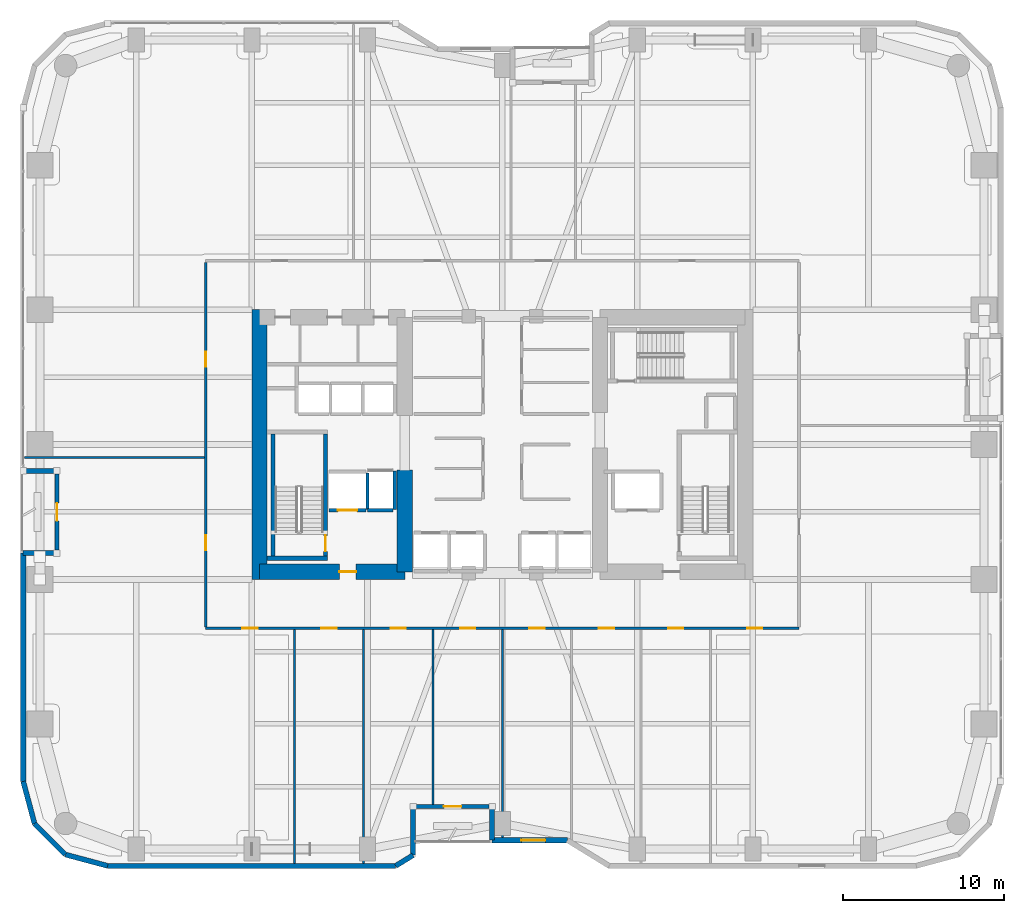
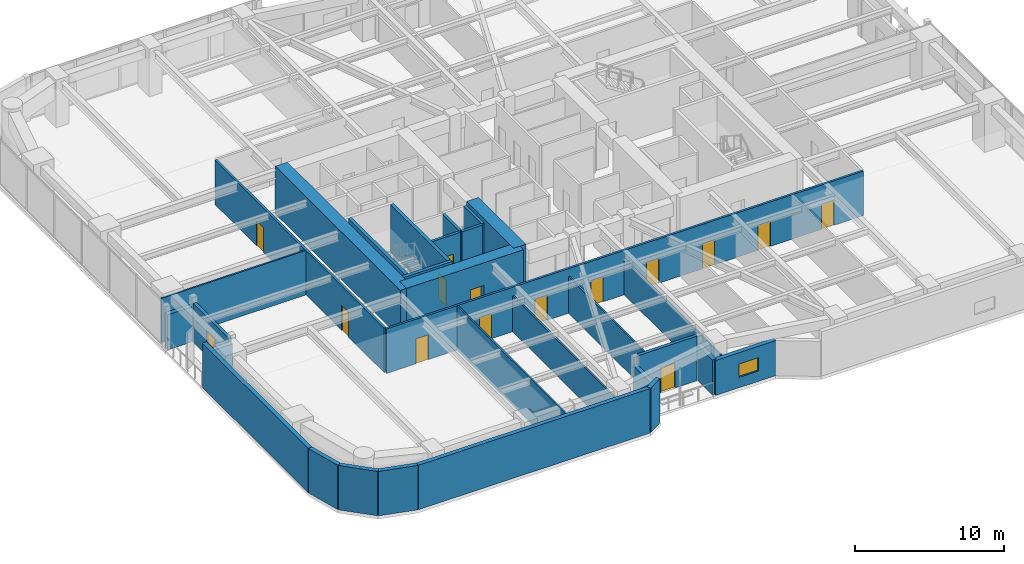
# One storey, part 22 of 28: 30 walls, 15 doors, 1 window, 16 openings.
"""IFC4 building model written with IfcOpenShell, lengths in metres."""

import ifcopenshell
import ifcopenshell.guid

model = None  # the IFC model being written
_history = None  # IfcOwnerHistory: only IFC2X3 demands one
_inside = {}  # id of a spatial element -> (the spatial element, [elements in it])
_under = {}  # id of a project, library or spatial element -> (it, [spatial elements below it])
_declared = {}  # id of a project -> (the project, [libraries it declares])
_typed = {}  # id of a type object -> (the type object, [elements of that type])
_made_of = {}  # id of a material, layer set ... -> (it, [elements and type objects made of it])


def new_model(schema):
    """Start an empty IFC model of exactly this schema.

    Asked for "IFC4X3", IfcOpenShell would pick the latest addendum, in which some entities
    have other attributes; the version numbers below select the first issue.
    IFC2X3 requires an IfcOwnerHistory on every rooted entity: one is made here for all.
    """
    global model, _history
    if schema == "IFC4X3":
        model = ifcopenshell.file(schema_version=(4, 3, 0, 0))
    else:
        model = ifcopenshell.file(schema=schema)
    _inside.clear()
    _under.clear()
    _declared.clear()
    _typed.clear()
    _made_of.clear()
    _history = None
    if model.schema == "IFC2X3":
        org = make("IfcOrganization", Name="unknown")
        user = make(
            "IfcPersonAndOrganization",
            ThePerson=make("IfcPerson", FamilyName="unknown"),
            TheOrganization=org,
        )
        app = make(
            "IfcApplication",
            ApplicationDeveloper=org,
            Version="unknown",
            ApplicationFullName="unknown",
            ApplicationIdentifier="unknown",
        )
        _history = make(
            "IfcOwnerHistory",
            OwningUser=user,
            OwningApplication=app,
            ChangeAction="ADDED",
            CreationDate=0,
        )
    return model


def make(cls, **values):
    """One entity of the class cls with the attributes given. An attribute that is None is left unset."""
    return model.create_entity(
        cls, **{name: value for name, value in values.items() if value is not None}
    )


def rooted(cls, **values):
    """An entity with a GlobalId (a new one), such as an element, a storey or a relation."""
    return make(cls, GlobalId=ifcopenshell.guid.new(), OwnerHistory=_history, **values)


def si_unit(unit_type, name, prefix=None):
    """IfcSIUnit, for example si_unit("LENGTHUNIT", "METRE", prefix="MILLI")."""
    return make("IfcSIUnit", UnitType=unit_type, Prefix=prefix, Name=name)


def assignment(units):
    """IfcUnitAssignment: the units of a project."""
    return None if units is None else make("IfcUnitAssignment", Units=units)


def point(xyz):
    """IfcCartesianPoint."""
    return None if xyz is None else make("IfcCartesianPoint", Coordinates=xyz)


def direction(xyz):
    """IfcDirection."""
    return None if xyz is None else make("IfcDirection", DirectionRatios=xyz)


def frame(location, z_axis=None, x_axis=None):
    """IfcAxis2Placement3D, a coordinate frame: its origin and axes. An axis left out is left unset."""
    return make(
        "IfcAxis2Placement3D",
        Location=point(location),
        Axis=direction(z_axis),
        RefDirection=direction(x_axis),
    )


def frame_2d(location, x_axis=None):
    """IfcAxis2Placement2D, a coordinate frame in the plane: its origin and x axis."""
    return make(
        "IfcAxis2Placement2D", Location=point(location), RefDirection=direction(x_axis)
    )


def origin():
    """The frame at (0, 0, 0) with its axes left unset."""
    return frame((0.0, 0.0, 0.0))


def place(relative_to, where):
    """IfcLocalPlacement: puts the frame where relative to a parent placement (None: the world)."""
    return make(
        "IfcLocalPlacement", PlacementRelTo=relative_to, RelativePlacement=where
    )


def context(
    kind, dimensions, precision=None, world=None, true_north=None, identifier=None
):
    """IfcGeometricRepresentationContext, for example the 3D "Model" context."""
    return make(
        "IfcGeometricRepresentationContext",
        ContextIdentifier=identifier,
        ContextType=kind,
        CoordinateSpaceDimension=dimensions,
        Precision=precision,
        WorldCoordinateSystem=world,
        TrueNorth=true_north,
    )


def subcontext(parent, identifier, kind, view, scale=None):
    """IfcGeometricRepresentationSubContext, for example "Body" below "Model"."""
    return make(
        "IfcGeometricRepresentationSubContext",
        ContextIdentifier=identifier,
        ContextType=kind,
        ParentContext=parent,
        TargetScale=scale,
        TargetView=view,
    )


def project(units=None, contexts=None):
    """IfcProject with its units and contexts."""
    return rooted(
        "IfcProject",
        Name="project",
        RepresentationContexts=contexts,
        UnitsInContext=assignment(units),
    )


def spatial(cls, under=None, at=None, **own):
    """A site, building, storey or space (cls), placed at a placement, below another one or the project."""
    s = rooted(cls, ObjectPlacement=at, **own)
    if under is not None:
        _under.setdefault(under.id(), (under, []))[1].append(s)
    return s


def profile(cls, at=None, kind="AREA", **sizes):
    """A parametric profile (cls). Its sizes go by their IFC names, for example OverallWidth=200.0."""
    return make(cls, ProfileType=kind, Position=at, **sizes)


def rectangle(**sizes):
    """IfcRectangleProfileDef."""
    return profile("IfcRectangleProfileDef", **sizes)


def extrude(swept, where, along, depth):
    """IfcExtrudedAreaSolid: the profile swept, set in the frame where, extruded along a direction by depth."""
    return make(
        "IfcExtrudedAreaSolid",
        SweptArea=swept,
        Position=where,
        ExtrudedDirection=direction(along),
        Depth=depth,
    )


def shape(context_of_items, identifier, shape_type, items):
    """IfcShapeRepresentation: the items that make up one representation, for example the "Body"."""
    return make(
        "IfcShapeRepresentation",
        ContextOfItems=context_of_items,
        RepresentationIdentifier=identifier,
        RepresentationType=shape_type,
        Items=items,
    )


def material(Name=None, Category=None):
    """IfcMaterial."""
    return make("IfcMaterial", Name=Name, Category=Category)


def layer(
    of_material, thickness, ventilated=None, Name=None, Category=None, Priority=None
):
    """IfcMaterialLayer: one layer of a wall or slab, of a material (None: an air gap)."""
    return make(
        "IfcMaterialLayer",
        Material=of_material,
        LayerThickness=thickness,
        IsVentilated=ventilated,
        Name=Name,
        Category=Category,
        Priority=Priority,
    )


def layer_set(layers, Name=None):
    """IfcMaterialLayerSet."""
    return make("IfcMaterialLayerSet", MaterialLayers=layers, LayerSetName=Name)


def made_of(thing, what):
    """Note that an element or type object is made of a material, layer set ...; save() writes the relation."""
    if what is not None:
        _made_of.setdefault(what.id(), (what, []))[1].append(thing)
    return thing


def type_object(cls, material=None, **own):
    """A type object (cls), such as IfcWallType, which elements share."""
    return made_of(rooted(cls, **own), material)


def element(
    cls,
    number,
    at=None,
    inside=None,
    cuts=None,
    type_object=None,
    material=None,
    context=None,
    identifier="Body",
    shape_type=None,
    held_by="IfcProductDefinitionShape",
    body=None,
    shapes=None,
    **own,
):
    """One element of the class cls, such as IfcWall. Its Tag is "e" and its number.

    at: its placement. inside: the storey or other place that contains it. cuts: it is an
    opening in that element (IfcRelVoidsElement). A single representation is given by context,
    identifier, shape_type and body (its items); several are given by shapes. held_by: the class
    of the entity that holds the representations. save() writes the other relations.
    """
    e = rooted(cls, Tag="e%d" % number, ObjectPlacement=at, **own)
    if body is not None:
        shapes = [shape(context, identifier, shape_type, body)]
    if shapes is not None:
        e.Representation = make(held_by, Representations=shapes)
    if inside is not None:
        _inside.setdefault(inside.id(), (inside, []))[1].append(e)
    if cuts is not None:
        rooted(
            "IfcRelVoidsElement", RelatingBuildingElement=cuts, RelatedOpeningElement=e
        )
    if type_object is not None:
        _typed.setdefault(type_object.id(), (type_object, []))[1].append(e)
    return made_of(e, material)


def fill(opening, filler):
    """IfcRelFillsElement: the door or window that sits in an opening."""
    return rooted(
        "IfcRelFillsElement",
        RelatingOpeningElement=opening,
        RelatedBuildingElement=filler,
    )


def aggregate(whole, parts):
    """IfcRelAggregates: a whole, such as a stair, and the parts it consists of."""
    return rooted("IfcRelAggregates", RelatingObject=whole, RelatedObjects=parts)


def save(model, path):
    """Write the relations noted so far, then the file.

    IfcRelAggregates (storeys below a building ...), IfcRelContainedInSpatialStructure (elements
    in a storey), IfcRelDefinesByType, IfcRelAssociatesMaterial and IfcRelDeclares: one each for
    every whole, place, type object, material and project.
    """
    for whole, parts in _under.values():
        aggregate(whole, parts)
    for where, things in _inside.values():
        rooted(
            "IfcRelContainedInSpatialStructure",
            RelatedElements=things,
            RelatingStructure=where,
        )
    for kind, things in _typed.values():
        rooted("IfcRelDefinesByType", RelatedObjects=things, RelatingType=kind)
    for what, things in _made_of.values():
        rooted("IfcRelAssociatesMaterial", RelatedObjects=things, RelatingMaterial=what)
    for by, libraries in _declared.values():
        rooted("IfcRelDeclares", RelatingContext=by, RelatedDefinitions=libraries)
    model.write(path)


model = new_model("IFC4")

# Units and contexts
model_context = context("Model", 3, precision=1e-05, world=origin(), true_north=direction((0.0, 1.0)))
body_context = subcontext(model_context, "Body", "Model", "MODEL_VIEW")
ifc_project = project(units=[si_unit("LENGTHUNIT", "METRE"), si_unit("AREAUNIT", "SQUARE_METRE"), si_unit("VOLUMEUNIT", "CUBIC_METRE"), si_unit("PLANEANGLEUNIT", "RADIAN"), si_unit("MASSUNIT", "GRAM", prefix="KILO")], contexts=[model_context])

# Site, building, storey
site_placement = place(None, origin())
site = spatial("IfcSite", under=ifc_project, at=site_placement, CompositionType="ELEMENT")
building_placement = place(site_placement, origin())
building = spatial("IfcBuilding", under=site, at=building_placement, Name="Kiyonajd Concourse Tower", CompositionType="ELEMENT")
storey_placement = place(building_placement, frame((0.0, 0.0, 60.60009765625)))
storey = spatial("IfcBuildingStorey", under=building, at=storey_placement, Name="L16", CompositionType="ELEMENT", Elevation=60.60009765625)

# Walls
ifc_material_1 = material(Name="Concrete C80/95", Category="concrete")
ifc_layer_1 = layer(ifc_material_1, 0.949951171875)
ifc_layer_set_1 = layer_set([ifc_layer_1], Name="Concrete C80/95")
wall_type_1 = type_object("IfcWallType", Name="WL-CORE-950", PredefinedType="SHEAR", material=ifc_layer_set_1)
wall_1_placement = place(storey_placement, frame((32.875, 27.60009765625, 0.0), z_axis=(0.0, 0.0, 1.0), x_axis=(0.0, 1.0, 0.0)))
element("IfcWall", 1, at=wall_1_placement, inside=storey, type_object=wall_type_1, Name="L16 West Core Outer Shear Wall", PredefinedType="SHEAR", context=body_context, shape_type="SweptSolid", body=[
    extrude(rectangle(XDim=16.7998046875, YDim=0.949951171875, at=frame_2d((8.39990234375, 0.0))), origin(), (0.0, 0.0, 1.0), 3.89990234375),
])
wall_2_placement = place(storey_placement, frame((41.925048828125, 28.074951171875, 0.0), z_axis=(0.0, 0.0, 1.0), x_axis=(0.0, 1.0, 0.0)))
element("IfcWall", 2, at=wall_2_placement, inside=storey, type_object=wall_type_1, Name="L16 West Core Inner South Shear Wall", PredefinedType="SHEAR", context=body_context, shape_type="SweptSolid", body=[
    extrude(rectangle(XDim=6.324951171875, YDim=0.949951171875, at=frame_2d((3.16259765625, 0.0))), origin(), (0.0, 0.0, 1.0), 3.89990234375),
])

# Wall, opening, door
wall_3_placement = place(storey_placement, frame((32.875, 28.074951171875, 0.0), z_axis=(0.0, 0.0, 1.0), x_axis=(1.0, 0.0, 0.0)))
wall_3 = element("IfcWall", 3, at=wall_3_placement, inside=storey, type_object=wall_type_1, Name="L16 West Core South Shear Wall", PredefinedType="SHEAR", context=body_context, shape_type="SweptSolid", body=[
    extrude(rectangle(XDim=9.050048828125, YDim=0.949951171875, at=frame_2d((4.52490234375, 0.0))), origin(), (0.0, 0.0, 1.0), 3.89990234375),
])
opening_1_placement = place(wall_3_placement, frame((4.97509765625, 0.0, 0.0)))
opening_1 = element("IfcOpeningElement", 4, at=opening_1_placement, cuts=wall_3, Name="Opening DF5", PredefinedType="OPENING", context=body_context, shape_type="SweptSolid", body=[
    extrude(rectangle(XDim=1.050048828125, YDim=2.0400390625, at=frame_2d((0.52490234375, 1.02001953125))), frame((0.0, 0.48486328125, 0.0), z_axis=(0.0, -1.0, 0.0), x_axis=(1.0, 0.0, 0.0)), (0.0, 0.0, 1.0), 0.969970703125),
])
ifc_material_2 = material(Name="Brushed Stainless Steel Cab Assembly", Category="steel")
door_type_1 = type_object("IfcDoorType", Name="DR-FD45-1050", OperationType="NOTDEFINED", PredefinedType="DOOR", material=ifc_material_2)
door_1_placement = place(opening_1_placement, origin())
door_1 = element("IfcDoor", 5, at=door_1_placement, inside=storey, type_object=door_type_1, Name="L16 Firefighting Lift Lobby W Smoke Door", OperationType="SINGLE_SWING_LEFT", OverallHeight=2.0400390625, OverallWidth=1.050048828125, PredefinedType="DOOR", context=body_context, shape_type="SweptSolid", body=[
    extrude(rectangle(XDim=1.050048828125, YDim=2.0400390625, at=frame_2d((0.52490234375, 1.02001953125))), frame((0.0, 0.02490234375, 0.0), z_axis=(0.0, -1.0, 0.0), x_axis=(1.0, 0.0, 0.0)), (0.0, 0.0, 1.0), 0.050048828125),
])
fill(opening_1, door_1)

# Walls
ifc_material_3 = material(Name="Precast concrete C50/60", Category="concrete")
ifc_layer_2 = layer(ifc_material_3, 0.320068359375)
ifc_layer_set_2 = layer_set([ifc_layer_2], Name="Precast concrete C50/60")
wall_type_2 = type_object("IfcWallType", Name="WL-EXT-320", PredefinedType="SOLIDWALL", material=ifc_layer_set_2)
wall_4_placement = place(storey_placement, frame((18.866455078125, 12.3828125, 0.0), z_axis=(0.0, 0.0, 1.0), x_axis=(-0.25869736047, 0.965958423373, 0.0)))
element("IfcWall", 6, at=wall_4_placement, inside=storey, type_object=wall_type_2, Name="L16 Exterior Concrete Frame Wall 00", PredefinedType="SOLIDWALL", context=body_context, shape_type="SweptSolid", body=[
    extrude(rectangle(XDim=2.731201171875, YDim=0.320068359375, at=frame_2d((1.36572265625, 0.0))), origin(), (0.0, 0.0, 1.0), 3.639892578125),
])
wall_5_placement = place(storey_placement, frame((18.159912109375, 15.02099609375, 0.0), z_axis=(0.0, 0.0, 1.0), x_axis=(0.0, 1.0, 0.0)))
element("IfcWall", 7, at=wall_5_placement, inside=storey, type_object=wall_type_2, Name="L16 Exterior Concrete Frame Wall 01", PredefinedType="SOLIDWALL", context=body_context, shape_type="SweptSolid", body=[
    extrude(rectangle(XDim=14.218994140625, YDim=0.320068359375, at=frame_2d((7.109375, 0.0))), origin(), (0.0, 0.0, 1.0), 3.639892578125),
])
for number, where, z_axis, x_axis, name in (
    (8, (18.159912109375, 29.239990234375, 0.0), (0.0, 0.0, 1.0), (1.0, 0.0, 0.0), "L16 Exterior Concrete Frame Wall 02"),
    (9, (20.260009765625, 34.360107421875, 0.0), (0.0, 0.0, 1.0), (-1.0, 0.0, 0.0), "L16 Exterior Concrete Frame Wall 04"),
):
    element("IfcWall", number, at=place(storey_placement, frame(where, z_axis=z_axis, x_axis=x_axis)), inside=storey, type_object=wall_type_2, Name=name, PredefinedType="SOLIDWALL", context=body_context, shape_type="SweptSolid", body=[
        extrude(rectangle(XDim=2.10009765625, YDim=0.320068359375, at=frame_2d((1.050048828125, 0.0))), origin(), (0.0, 0.0, 1.0), 2.875),
    ])

# Wall, opening, window
wall_6_placement = place(storey_placement, frame((52.04541015625, 11.360107421875, 0.0), z_axis=(0.0, 0.0, 1.0), x_axis=(-1.0, 0.0, 0.0)))
wall_6 = element("IfcWall", 10, at=wall_6_placement, inside=storey, type_object=wall_type_2, Name="L16 Exterior Concrete Frame Wall 30", PredefinedType="SOLIDWALL", context=body_context, shape_type="SweptSolid", body=[
    extrude(rectangle(XDim=4.685302734375, YDim=0.320068359375, at=frame_2d((2.3427734375, 0.0))), origin(), (0.0, 0.0, 1.0), 2.875),
])
opening_2_placement = place(wall_6_placement, frame((1.367919921875, 0.0, 0.85009765625)))
opening_2 = element("IfcOpeningElement", 11, at=opening_2_placement, cuts=wall_6, Name="Opening WN2", PredefinedType="OPENING", context=body_context, shape_type="SweptSolid", body=[
    extrude(rectangle(XDim=1.5, YDim=1.10009765625, at=frame_2d((0.75, 0.550048828125))), frame((0.0, 0.169921875, 0.0), z_axis=(0.0, -1.0, 0.0), x_axis=(1.0, 0.0, 0.0)), (0.0, 0.0, 1.0), 0.340087890625),
])
ifc_material_4 = material(Name="Double Low-E Insulated Glass", Category="glass")
window_type = type_object("IfcWindowType", Name="WN-VIS-1500x1100", PartitioningType="SINGLE_PANEL", PredefinedType="WINDOW", material=ifc_material_4)
window_placement = place(opening_2_placement, origin())
window = element("IfcWindow", 12, at=window_placement, inside=storey, type_object=window_type, Name="L16 Modular Facade Vision Window 30", OverallHeight=1.10009765625, OverallWidth=1.5, PartitioningType="SINGLE_PANEL", PredefinedType="WINDOW", context=body_context, shape_type="SweptSolid", body=[
    extrude(rectangle(XDim=1.5, YDim=1.10009765625, at=frame_2d((0.75, 0.550048828125))), frame((0.0, 0.030029296875, 0.0), z_axis=(0.0, -1.0, 0.0), x_axis=(1.0, 0.0, 0.0)), (0.0, 0.0, 1.0), 0.06005859375),
])
fill(opening_2, window)

# Walls
wall_7_placement = place(storey_placement, frame((47.360107421875, 11.360107421875, 0.0), z_axis=(0.0, 0.0, 1.0), x_axis=(0.0, 1.0, 0.0)))
element("IfcWall", 13, at=wall_7_placement, inside=storey, type_object=wall_type_2, Name="L16 Exterior Concrete Frame Wall 31", PredefinedType="SOLIDWALL", context=body_context, shape_type="SweptSolid", body=[
    extrude(rectangle(XDim=2.099853515625, YDim=0.320068359375, at=frame_2d((1.0498046875, 0.0))), origin(), (0.0, 0.0, 1.0), 2.875),
])
wall_8_placement = place(storey_placement, frame((42.43994140625, 13.4599609375, 0.0), z_axis=(0.0, 0.0, 1.0), x_axis=(0.0, -1.0, 0.0)))
element("IfcWall", 14, at=wall_8_placement, inside=storey, type_object=wall_type_2, Name="L16 Exterior Concrete Frame Wall 33", PredefinedType="SOLIDWALL", context=body_context, shape_type="SweptSolid", body=[
    extrude(rectangle(XDim=3.032470703125, YDim=0.320068359375, at=frame_2d((1.51611328125, 0.0))), origin(), (0.0, 0.0, 1.0), 2.875),
])
wall_9_placement = place(storey_placement, frame((42.43994140625, 10.427490234375, 0.0), z_axis=(0.0, 0.0, 1.0), x_axis=(-0.851776724646, -0.523904964045, 0.0)))
element("IfcWall", 15, at=wall_9_placement, inside=storey, type_object=wall_type_2, Name="L16 Exterior Concrete Frame Wall 34", PredefinedType="SOLIDWALL", context=body_context, shape_type="SweptSolid", body=[
    extrude(rectangle(XDim=1.274169921875, YDim=0.320068359375, at=frame_2d((0.63720703125, 0.0))), origin(), (0.0, 0.0, 1.0), 3.639892578125),
])
wall_10_placement = place(storey_placement, frame((41.354736328125, 9.760009765625, 0.0), z_axis=(0.0, 0.0, 1.0), x_axis=(-1.0, 0.0, 0.0)))
element("IfcWall", 16, at=wall_10_placement, inside=storey, type_object=wall_type_2, Name="L16 Exterior Concrete Frame Wall 35", PredefinedType="SOLIDWALL", context=body_context, shape_type="SweptSolid", body=[
    extrude(rectangle(XDim=17.93359375, YDim=0.320068359375, at=frame_2d((8.966796875, 0.0))), origin(), (0.0, 0.0, 1.0), 3.639892578125),
])
wall_11_placement = place(storey_placement, frame((23.421142578125, 9.760009765625, 0.0), z_axis=(0.0, 0.0, 1.0), x_axis=(-0.965964405026, 0.25867502435, 0.0)))
element("IfcWall", 17, at=wall_11_placement, inside=storey, type_object=wall_type_2, Name="L16 Exterior Concrete Frame Wall 36", PredefinedType="SOLIDWALL", context=body_context, shape_type="SweptSolid", body=[
    extrude(rectangle(XDim=2.7314453125, YDim=0.320068359375, at=frame_2d((1.36572265625, 0.0))), origin(), (0.0, 0.0, 1.0), 3.639892578125),
])
wall_12_placement = place(storey_placement, frame((20.78271484375, 10.466552734375, 0.0), z_axis=(0.0, 0.0, 1.0), x_axis=(-0.707106781187, 0.707106781187, 0.0)))
element("IfcWall", 18, at=wall_12_placement, inside=storey, type_object=wall_type_2, Name="L16 Exterior Concrete Frame Wall 37", PredefinedType="SOLIDWALL", context=body_context, shape_type="SweptSolid", body=[
    extrude(rectangle(XDim=2.7099609375, YDim=0.320068359375, at=frame_2d((1.35498046875, 0.0))), origin(), (0.0, 0.0, 1.0), 3.639892578125),
])

# Wall, opening, door
ifc_layer_3 = layer(ifc_material_3, 0.239990234375)
ifc_layer_set_3 = layer_set([ifc_layer_3], Name="Precast concrete C50/60")
wall_type_3 = type_object("IfcWallType", Name="WL-LOG-240", PredefinedType="SOLIDWALL", material=ifc_layer_set_3)
wall_13_placement = place(storey_placement, frame((20.260009765625, 29.43505859375, 0.0), z_axis=(0.0, 0.0, 1.0), x_axis=(0.0, 1.0, 0.0)))
wall_13 = element("IfcWall", 19, at=wall_13_placement, inside=storey, type_object=wall_type_3, Name="L16 Recessed Loggia Thermal Wall LOG-W", PredefinedType="SOLIDWALL", context=body_context, shape_type="SweptSolid", body=[
    extrude(rectangle(XDim=4.72998046875, YDim=0.239990234375, at=frame_2d((2.364990234375, 0.0))), origin(), (0.0, 0.0, 1.0), 3.161865234375),
])
opening_3_placement = place(wall_13_placement, frame((1.81494140625, 0.0, 0.0)))
opening_3 = element("IfcOpeningElement", 20, at=opening_3_placement, cuts=wall_13, Name="Opening DL2", PredefinedType="OPENING", context=body_context, shape_type="SweptSolid", body=[
    extrude(rectangle(XDim=1.10009765625, YDim=2.0400390625, at=frame_2d((0.550048828125, 1.02001953125))), frame((0.0, 0.1298828125, 0.0), z_axis=(0.0, -1.0, 0.0), x_axis=(1.0, 0.0, 0.0)), (0.0, 0.0, 1.0), 0.260009765625),
])
ifc_material_5 = material(Name="Thermally Broken Anodised Aluminium", Category="aluminium")
door_type_2 = type_object("IfcDoorType", Name="DR-LOG-1100", OperationType="NOTDEFINED", PredefinedType="DOOR", material=ifc_material_5)
door_2_placement = place(opening_3_placement, origin())
door_2 = element("IfcDoor", 21, at=door_2_placement, inside=storey, type_object=door_type_2, Name="L16 Engawa Loggia Access Door LOG-W", OperationType="SINGLE_SWING_LEFT", OverallHeight=2.0400390625, OverallWidth=1.10009765625, PredefinedType="DOOR", context=body_context, shape_type="SweptSolid", body=[
    extrude(rectangle(XDim=1.10009765625, YDim=2.0400390625, at=frame_2d((0.550048828125, 1.02001953125))), frame((0.0, 0.02490234375, 0.0), z_axis=(0.0, -1.0, 0.0), x_axis=(1.0, 0.0, 0.0)), (0.0, 0.0, 1.0), 0.050048828125),
])
fill(opening_3, door_2)

wall_14_placement = place(storey_placement, frame((47.1650390625, 13.4599609375, 0.0), z_axis=(0.0, 0.0, 1.0), x_axis=(-1.0, 0.0, 0.0)))
wall_14 = element("IfcWall", 22, at=wall_14_placement, inside=storey, type_object=wall_type_3, Name="L16 Recessed Loggia Thermal Wall LOG-S", PredefinedType="SOLIDWALL", context=body_context, shape_type="SweptSolid", body=[
    extrude(rectangle(XDim=4.530029296875, YDim=0.239990234375, at=frame_2d((2.26513671875, 0.0))), origin(), (0.0, 0.0, 1.0), 3.639892578125),
])
opening_4_placement = place(wall_14_placement, frame((1.715087890625, 0.0, 0.0)))
opening_4 = element("IfcOpeningElement", 23, at=opening_4_placement, cuts=wall_14, Name="Opening DL2", PredefinedType="OPENING", context=body_context, shape_type="SweptSolid", body=[
    extrude(rectangle(XDim=1.10009765625, YDim=2.0400390625, at=frame_2d((0.550048828125, 1.02001953125))), frame((0.0, 0.1298828125, 0.0), z_axis=(0.0, -1.0, 0.0), x_axis=(1.0, 0.0, 0.0)), (0.0, 0.0, 1.0), 0.260009765625),
])
door_3_placement = place(opening_4_placement, origin())
door_3 = element("IfcDoor", 24, at=door_3_placement, inside=storey, type_object=door_type_2, Name="L16 Engawa Loggia Access Door LOG-S", OperationType="SINGLE_SWING_RIGHT", OverallHeight=2.0400390625, OverallWidth=1.10009765625, PredefinedType="DOOR", context=body_context, shape_type="SweptSolid", body=[
    extrude(rectangle(XDim=1.10009765625, YDim=2.0400390625, at=frame_2d((0.550048828125, 1.02001953125))), frame((0.0, 0.02490234375, 0.0), z_axis=(0.0, -1.0, 0.0), x_axis=(1.0, 0.0, 0.0)), (0.0, 0.0, 1.0), 0.050048828125),
])
fill(opening_4, door_3)

# Walls
ifc_material_6 = material(Name="Gypsum Board on Cold-Formed Steel Stud", Category="steel")
ifc_layer_4 = layer(ifc_material_6, 0.125)
ifc_layer_set_4 = layer_set([ifc_layer_4], Name="Gypsum Board on Cold-Formed Steel Stud")
wall_type_4 = type_object("IfcWallType", Name="WL-PART-125", PredefinedType="PARTITIONING", material=ifc_layer_set_4)
wall_15_placement = place(storey_placement, frame((35.0400390625, 9.9150390625, 0.0), z_axis=(0.0, 0.0, 1.0), x_axis=(0.0, 1.0, 0.0)))
element("IfcWall", 25, at=wall_15_placement, inside=storey, type_object=wall_type_4, Name="L16 Interior Partition Wall", PredefinedType="PARTITIONING", context=body_context, shape_type="SweptSolid", body=[
    extrude(rectangle(XDim=14.557861328125, YDim=0.125, at=frame_2d((7.27880859375, 0.0))), origin(), (0.0, 0.0, 1.0), 3.639892578125),
])
wall_16_placement = place(storey_placement, frame((39.360107421875, 9.9150390625, 0.0), z_axis=(0.0, 0.0, 1.0), x_axis=(0.0, 1.0, 0.0)))
element("IfcWall", 26, at=wall_16_placement, inside=storey, type_object=wall_type_4, Name="L16 Interior Partition Wall", PredefinedType="PARTITIONING", context=body_context, shape_type="SweptSolid", body=[
    extrude(rectangle(XDim=14.557861328125, YDim=0.125, at=frame_2d((7.27880859375, 0.0))), origin(), (0.0, 0.0, 1.0), 2.929931640625),
])
wall_17_placement = place(storey_placement, frame((43.679931640625, 13.574951171875, 0.0), z_axis=(0.0, 0.0, 1.0), x_axis=(0.0, 1.0, 0.0)))
element("IfcWall", 27, at=wall_17_placement, inside=storey, type_object=wall_type_4, Name="L16 Interior Partition Wall", PredefinedType="PARTITIONING", context=body_context, shape_type="SweptSolid", body=[
    extrude(rectangle(XDim=10.89794921875, YDim=0.125, at=frame_2d((5.448974609375, 0.0))), origin(), (0.0, 0.0, 1.0), 3.0029296875),
])
wall_18_placement = place(storey_placement, frame((48.0, 11.514892578125, 0.0), z_axis=(0.0, 0.0, 1.0), x_axis=(0.0, 1.0, 0.0)))
element("IfcWall", 28, at=wall_18_placement, inside=storey, type_object=wall_type_4, Name="L16 Interior Partition Wall", PredefinedType="PARTITIONING", context=body_context, shape_type="SweptSolid", body=[
    extrude(rectangle(XDim=12.9580078125, YDim=0.125, at=frame_2d((6.47900390625, 0.0))), origin(), (0.0, 0.0, 1.0), 2.929931640625),
])
wall_19_placement = place(storey_placement, frame((18.2451171875, 35.199951171875, 0.0), z_axis=(0.0, 0.0, 1.0), x_axis=(1.0, 0.0, 0.0)))
element("IfcWall", 29, at=wall_19_placement, inside=storey, type_object=wall_type_4, Name="L16 Interior Partition Wall", PredefinedType="PARTITIONING", context=body_context, shape_type="SweptSolid", body=[
    extrude(rectangle(XDim=11.19287109375, YDim=0.125, at=frame_2d((5.596435546875, 0.0))), origin(), (0.0, 0.0, 1.0), 3.639892578125),
])

# Wall, opening, door
ifc_layer_5 = layer(ifc_material_6, 0.2099609375)
ifc_layer_set_5 = layer_set([ifc_layer_5], Name="Gypsum Board on Cold-Formed Steel Stud")
wall_type_5 = type_object("IfcWallType", Name="WL-SHAFT-210", PredefinedType="PARTITIONING", material=ifc_layer_set_5)
wall_20_placement = place(storey_placement, frame((37.199951171875, 31.89990234375, 0.0), z_axis=(0.0, 0.0, 1.0), x_axis=(1.0, 0.0, 0.0)))
wall_20 = element("IfcWall", 30, at=wall_20_placement, inside=storey, type_object=wall_type_5, Name="L16 Shaft Enclosure Wall", PredefinedType="PARTITIONING", context=body_context, shape_type="SweptSolid", body=[
    extrude(rectangle(XDim=2.300048828125, YDim=0.2099609375, at=frame_2d((1.14990234375, 0.0))), origin(), (0.0, 0.0, 1.0), 3.639892578125),
])
opening_5_placement = place(wall_20_placement, frame((0.550048828125, 0.0, 0.0)))
opening_5 = element("IfcOpeningElement", 31, at=opening_5_placement, cuts=wall_20, Name="Opening LD2", PredefinedType="OPENING", context=body_context, shape_type="SweptSolid", body=[
    extrude(rectangle(XDim=1.199951171875, YDim=2.0400390625, at=frame_2d((0.60009765625, 1.02001953125))), frame((0.0, 0.114990234375, 0.0), z_axis=(0.0, -1.0, 0.0), x_axis=(1.0, 0.0, 0.0)), (0.0, 0.0, 1.0), 0.22998046875),
])
door_type_3 = type_object("IfcDoorType", Name="DR-LD-1200", OperationType="DOUBLE_DOOR_SLIDING", PredefinedType="DOOR", material=ifc_material_2)
door_4_placement = place(opening_5_placement, origin())
door_4 = element("IfcDoor", 32, at=door_4_placement, inside=storey, type_object=door_type_3, Name="L16 Lift FFL1 Sliding Landing Door", OperationType="DOUBLE_DOOR_SLIDING", OverallHeight=2.0400390625, OverallWidth=1.199951171875, PredefinedType="DOOR", context=body_context, shape_type="SweptSolid", body=[
    extrude(rectangle(XDim=1.199951171875, YDim=2.0400390625, at=frame_2d((0.60009765625, 1.02001953125))), frame((0.0, 0.02490234375, 0.0), z_axis=(0.0, -1.0, 0.0), x_axis=(1.0, 0.0, 0.0)), (0.0, 0.0, 1.0), 0.050048828125),
])
fill(opening_5, door_4)

# Walls
wall_21_placement = place(storey_placement, frame((39.60009765625, 31.9599609375, 0.0), z_axis=(0.0, 0.0, 1.0), x_axis=(0.0, 1.0, 0.0)))
element("IfcWall", 33, at=wall_21_placement, inside=storey, type_object=wall_type_5, Name="L16 Shaft Enclosure Wall", PredefinedType="PARTITIONING", context=body_context, shape_type="SweptSolid", body=[
    extrude(rectangle(XDim=2.280029296875, YDim=0.2099609375, at=frame_2d((1.14013671875, 0.0))), origin(), (0.0, 0.0, 1.0), 3.639892578125),
])
wall_22_placement = place(storey_placement, frame((39.60009765625, 31.89990234375, 0.0), z_axis=(0.0, 0.0, 1.0), x_axis=(1.0, 0.0, 0.0)))
element("IfcWall", 34, at=wall_22_placement, inside=storey, type_object=wall_type_5, Name="L16 Shaft Enclosure Wall", PredefinedType="PARTITIONING", context=body_context, shape_type="SweptSolid", body=[
    extrude(rectangle(XDim=1.599853515625, YDim=0.2099609375, at=frame_2d((0.7998046875, 0.0))), origin(), (0.0, 0.0, 1.0), 3.639892578125),
])
wall_23_placement = place(storey_placement, frame((41.300048828125, 31.9599609375, 0.0), z_axis=(0.0, 0.0, 1.0), x_axis=(0.0, 1.0, 0.0)))
element("IfcWall", 35, at=wall_23_placement, inside=storey, type_object=wall_type_5, Name="L16 Shaft Enclosure Wall", PredefinedType="PARTITIONING", context=body_context, shape_type="SweptSolid", body=[
    extrude(rectangle(XDim=2.380126953125, YDim=0.2099609375, at=frame_2d((1.18994140625, 0.0))), origin(), (0.0, 0.0, 1.0), 3.639892578125),
])

# Wall, openings, doors
ifc_layer_6 = layer(ifc_material_6, 0.169921875)
ifc_layer_set_6 = layer_set([ifc_layer_6], Name="Gypsum Board on Cold-Formed Steel Stud")
wall_type_6 = type_object("IfcWallType", Name="WL-SMK-170", PredefinedType="PARTITIONING", material=ifc_layer_set_6)
wall_24_placement = place(storey_placement, frame((29.52490234375, 24.56005859375, 0.0), z_axis=(0.0, 0.0, 1.0), x_axis=(1.0, 0.0, 0.0)))
wall_24 = element("IfcWall", 36, at=wall_24_placement, inside=storey, type_object=wall_type_6, Name="L16 Interior Partition Wall", PredefinedType="PARTITIONING", context=body_context, shape_type="SweptSolid", body=[
    extrude(rectangle(XDim=36.9501953125, YDim=0.169921875, at=frame_2d((18.47509765625, 0.0))), origin(), (0.0, 0.0, 1.0), 3.639892578125),
])
opening_6_placement = place(wall_24_placement, frame((2.282958984375, 0.0, 0.0)))
opening_6 = element("IfcOpeningElement", 37, at=opening_6_placement, cuts=wall_24, Name="Opening DI1", PredefinedType="OPENING", context=body_context, shape_type="SweptSolid", body=[
    extrude(rectangle(XDim=0.949951171875, YDim=2.0400390625, at=frame_2d((0.47509765625, 1.02001953125))), frame((0.0, 0.094970703125, 0.0), z_axis=(0.0, -1.0, 0.0), x_axis=(1.0, 0.0, 0.0)), (0.0, 0.0, 1.0), 0.18994140625),
])
opening_7_placement = place(wall_24_placement, frame((7.199951171875, 0.0, 0.0)))
opening_7 = element("IfcOpeningElement", 38, at=opening_7_placement, cuts=wall_24, Name="Opening DI1", PredefinedType="OPENING", context=body_context, shape_type="SweptSolid", body=[
    extrude(rectangle(XDim=0.949951171875, YDim=2.0400390625, at=frame_2d((0.47509765625, 1.02001953125))), frame((0.0, 0.094970703125, 0.0), z_axis=(0.0, -1.0, 0.0), x_axis=(1.0, 0.0, 0.0)), (0.0, 0.0, 1.0), 0.18994140625),
])
opening_8_placement = place(wall_24_placement, frame((11.52001953125, 0.0, 0.0)))
opening_8 = element("IfcOpeningElement", 39, at=opening_8_placement, cuts=wall_24, Name="Opening DI1", PredefinedType="OPENING", context=body_context, shape_type="SweptSolid", body=[
    extrude(rectangle(XDim=0.949951171875, YDim=2.0400390625, at=frame_2d((0.47509765625, 1.02001953125))), frame((0.0, 0.094970703125, 0.0), z_axis=(0.0, -1.0, 0.0), x_axis=(1.0, 0.0, 0.0)), (0.0, 0.0, 1.0), 0.18994140625),
])
opening_9_placement = place(wall_24_placement, frame((15.840087890625, 0.0, 0.0)))
opening_9 = element("IfcOpeningElement", 40, at=opening_9_placement, cuts=wall_24, Name="Opening DI1", PredefinedType="OPENING", context=body_context, shape_type="SweptSolid", body=[
    extrude(rectangle(XDim=0.949951171875, YDim=2.0400390625, at=frame_2d((0.47509765625, 1.02001953125))), frame((0.0, 0.094970703125, 0.0), z_axis=(0.0, -1.0, 0.0), x_axis=(1.0, 0.0, 0.0)), (0.0, 0.0, 1.0), 0.18994140625),
])
opening_10_placement = place(wall_24_placement, frame((20.159912109375, 0.0, 0.0)))
opening_10 = element("IfcOpeningElement", 41, at=opening_10_placement, cuts=wall_24, Name="Opening DI1", PredefinedType="OPENING", context=body_context, shape_type="SweptSolid", body=[
    extrude(rectangle(XDim=0.949951171875, YDim=2.0400390625, at=frame_2d((0.47509765625, 1.02001953125))), frame((0.0, 0.094970703125, 0.0), z_axis=(0.0, -1.0, 0.0), x_axis=(1.0, 0.0, 0.0)), (0.0, 0.0, 1.0), 0.18994140625),
])
opening_11_placement = place(wall_24_placement, frame((24.47998046875, 0.0, 0.0)))
opening_11 = element("IfcOpeningElement", 42, at=opening_11_placement, cuts=wall_24, Name="Opening DI1", PredefinedType="OPENING", context=body_context, shape_type="SweptSolid", body=[
    extrude(rectangle(XDim=0.949951171875, YDim=2.0400390625, at=frame_2d((0.47509765625, 1.02001953125))), frame((0.0, 0.094970703125, 0.0), z_axis=(0.0, -1.0, 0.0), x_axis=(1.0, 0.0, 0.0)), (0.0, 0.0, 1.0), 0.18994140625),
])
opening_12_placement = place(wall_24_placement, frame((28.800048828125, 0.0, 0.0)))
opening_12 = element("IfcOpeningElement", 43, at=opening_12_placement, cuts=wall_24, Name="Opening DI1", PredefinedType="OPENING", context=body_context, shape_type="SweptSolid", body=[
    extrude(rectangle(XDim=0.949951171875, YDim=2.0400390625, at=frame_2d((0.47509765625, 1.02001953125))), frame((0.0, 0.094970703125, 0.0), z_axis=(0.0, -1.0, 0.0), x_axis=(1.0, 0.0, 0.0)), (0.0, 0.0, 1.0), 0.18994140625),
])
opening_13_placement = place(wall_24_placement, frame((33.718017578125, 0.0, 0.0)))
opening_13 = element("IfcOpeningElement", 44, at=opening_13_placement, cuts=wall_24, Name="Opening DI1", PredefinedType="OPENING", context=body_context, shape_type="SweptSolid", body=[
    extrude(rectangle(XDim=0.949951171875, YDim=2.0400390625, at=frame_2d((0.47509765625, 1.02001953125))), frame((0.0, 0.094970703125, 0.0), z_axis=(0.0, -1.0, 0.0), x_axis=(1.0, 0.0, 0.0)), (0.0, 0.0, 1.0), 0.18994140625),
])
ifc_material_7 = material(Name="Natural Oak Acoustic Timber Veneer", Category="wood")
door_type_4 = type_object("IfcDoorType", Name="DR-INT-950", OperationType="NOTDEFINED", PredefinedType="DOOR", material=ifc_material_7)
door_5_placement = place(opening_6_placement, origin())
door_5 = element("IfcDoor", 45, at=door_5_placement, inside=storey, type_object=door_type_4, Name="L16 Interior Door", OperationType="SINGLE_SWING_LEFT", OverallHeight=2.0400390625, OverallWidth=0.949951171875, PredefinedType="DOOR", context=body_context, shape_type="SweptSolid", body=[
    extrude(rectangle(XDim=0.949951171875, YDim=2.0400390625, at=frame_2d((0.47509765625, 1.02001953125))), frame((0.0, 0.02490234375, 0.0), z_axis=(0.0, -1.0, 0.0), x_axis=(1.0, 0.0, 0.0)), (0.0, 0.0, 1.0), 0.050048828125),
])
fill(opening_6, door_5)
door_6_placement = place(opening_7_placement, origin())
door_6 = element("IfcDoor", 46, at=door_6_placement, inside=storey, type_object=door_type_4, Name="L16 Interior Door", OperationType="SINGLE_SWING_RIGHT", OverallHeight=2.0400390625, OverallWidth=0.949951171875, PredefinedType="DOOR", context=body_context, shape_type="SweptSolid", body=[
    extrude(rectangle(XDim=0.949951171875, YDim=2.0400390625, at=frame_2d((0.47509765625, 1.02001953125))), frame((0.0, 0.02490234375, 0.0), z_axis=(0.0, -1.0, 0.0), x_axis=(1.0, 0.0, 0.0)), (0.0, 0.0, 1.0), 0.050048828125),
])
fill(opening_7, door_6)
door_7_placement = place(opening_8_placement, origin())
door_7 = element("IfcDoor", 47, at=door_7_placement, inside=storey, type_object=door_type_4, Name="L16 Interior Door", OperationType="SINGLE_SWING_LEFT", OverallHeight=2.0400390625, OverallWidth=0.949951171875, PredefinedType="DOOR", context=body_context, shape_type="SweptSolid", body=[
    extrude(rectangle(XDim=0.949951171875, YDim=2.0400390625, at=frame_2d((0.47509765625, 1.02001953125))), frame((0.0, 0.02490234375, 0.0), z_axis=(0.0, -1.0, 0.0), x_axis=(1.0, 0.0, 0.0)), (0.0, 0.0, 1.0), 0.050048828125),
])
fill(opening_8, door_7)
door_8_placement = place(opening_9_placement, origin())
door_8 = element("IfcDoor", 48, at=door_8_placement, inside=storey, type_object=door_type_4, Name="L16 Interior Door", OperationType="SINGLE_SWING_RIGHT", OverallHeight=2.0400390625, OverallWidth=0.949951171875, PredefinedType="DOOR", context=body_context, shape_type="SweptSolid", body=[
    extrude(rectangle(XDim=0.949951171875, YDim=2.0400390625, at=frame_2d((0.47509765625, 1.02001953125))), frame((0.0, 0.02490234375, 0.0), z_axis=(0.0, -1.0, 0.0), x_axis=(1.0, 0.0, 0.0)), (0.0, 0.0, 1.0), 0.050048828125),
])
fill(opening_9, door_8)
door_9_placement = place(opening_10_placement, origin())
door_9 = element("IfcDoor", 49, at=door_9_placement, inside=storey, type_object=door_type_4, Name="L16 Interior Door", OperationType="SINGLE_SWING_LEFT", OverallHeight=2.0400390625, OverallWidth=0.949951171875, PredefinedType="DOOR", context=body_context, shape_type="SweptSolid", body=[
    extrude(rectangle(XDim=0.949951171875, YDim=2.0400390625, at=frame_2d((0.47509765625, 1.02001953125))), frame((0.0, 0.02490234375, 0.0), z_axis=(0.0, -1.0, 0.0), x_axis=(1.0, 0.0, 0.0)), (0.0, 0.0, 1.0), 0.050048828125),
])
fill(opening_10, door_9)
door_10_placement = place(opening_11_placement, origin())
door_10 = element("IfcDoor", 50, at=door_10_placement, inside=storey, type_object=door_type_4, Name="L16 Interior Door", OperationType="SINGLE_SWING_RIGHT", OverallHeight=2.0400390625, OverallWidth=0.949951171875, PredefinedType="DOOR", context=body_context, shape_type="SweptSolid", body=[
    extrude(rectangle(XDim=0.949951171875, YDim=2.0400390625, at=frame_2d((0.47509765625, 1.02001953125))), frame((0.0, 0.02490234375, 0.0), z_axis=(0.0, -1.0, 0.0), x_axis=(1.0, 0.0, 0.0)), (0.0, 0.0, 1.0), 0.050048828125),
])
fill(opening_11, door_10)
door_11_placement = place(opening_12_placement, origin())
door_11 = element("IfcDoor", 51, at=door_11_placement, inside=storey, type_object=door_type_4, Name="L16 Interior Door", OperationType="SINGLE_SWING_LEFT", OverallHeight=2.0400390625, OverallWidth=0.949951171875, PredefinedType="DOOR", context=body_context, shape_type="SweptSolid", body=[
    extrude(rectangle(XDim=0.949951171875, YDim=2.0400390625, at=frame_2d((0.47509765625, 1.02001953125))), frame((0.0, 0.02490234375, 0.0), z_axis=(0.0, -1.0, 0.0), x_axis=(1.0, 0.0, 0.0)), (0.0, 0.0, 1.0), 0.050048828125),
])
fill(opening_12, door_11)
door_12_placement = place(opening_13_placement, origin())
door_12 = element("IfcDoor", 52, at=door_12_placement, inside=storey, type_object=door_type_4, Name="L16 Interior Door", OperationType="SINGLE_SWING_RIGHT", OverallHeight=2.0400390625, OverallWidth=0.949951171875, PredefinedType="DOOR", context=body_context, shape_type="SweptSolid", body=[
    extrude(rectangle(XDim=0.949951171875, YDim=2.0400390625, at=frame_2d((0.47509765625, 1.02001953125))), frame((0.0, 0.02490234375, 0.0), z_axis=(0.0, -1.0, 0.0), x_axis=(1.0, 0.0, 0.0)), (0.0, 0.0, 1.0), 0.050048828125),
])
fill(opening_13, door_12)

wall_25_placement = place(storey_placement, frame((29.52490234375, 24.64697265625, 0.0), z_axis=(0.0, 0.0, 1.0), x_axis=(0.0, 1.0, 0.0)))
wall_25 = element("IfcWall", 53, at=wall_25_placement, inside=storey, type_object=wall_type_6, Name="L16 Interior Partition Wall", PredefinedType="PARTITIONING", context=body_context, shape_type="SweptSolid", body=[
    extrude(rectangle(XDim=22.7060546875, YDim=0.169921875, at=frame_2d((11.35302734375, 0.0))), origin(), (0.0, 0.0, 1.0), 3.639892578125),
])
opening_14_placement = place(wall_25_placement, frame((4.758056640625, 0.0, 0.0)))
opening_14 = element("IfcOpeningElement", 54, at=opening_14_placement, cuts=wall_25, Name="Opening DI1", PredefinedType="OPENING", context=body_context, shape_type="SweptSolid", body=[
    extrude(rectangle(XDim=0.949951171875, YDim=2.0400390625, at=frame_2d((0.47509765625, 1.02001953125))), frame((0.0, 0.094970703125, 0.0), z_axis=(0.0, -1.0, 0.0), x_axis=(1.0, 0.0, 0.0)), (0.0, 0.0, 1.0), 0.18994140625),
])
opening_15_placement = place(wall_25_placement, frame((16.197998046875, 0.0, 0.0)))
opening_15 = element("IfcOpeningElement", 55, at=opening_15_placement, cuts=wall_25, Name="Opening DI1", PredefinedType="OPENING", context=body_context, shape_type="SweptSolid", body=[
    extrude(rectangle(XDim=0.949951171875, YDim=2.0400390625, at=frame_2d((0.47509765625, 1.02001953125))), frame((0.0, 0.094970703125, 0.0), z_axis=(0.0, -1.0, 0.0), x_axis=(1.0, 0.0, 0.0)), (0.0, 0.0, 1.0), 0.18994140625),
])
door_13_placement = place(opening_14_placement, origin())
door_13 = element("IfcDoor", 56, at=door_13_placement, inside=storey, type_object=door_type_4, Name="L16 Interior Door", OperationType="SINGLE_SWING_LEFT", OverallHeight=2.0400390625, OverallWidth=0.949951171875, PredefinedType="DOOR", context=body_context, shape_type="SweptSolid", body=[
    extrude(rectangle(XDim=0.949951171875, YDim=2.0400390625, at=frame_2d((0.47509765625, 1.02001953125))), frame((0.0, 0.02490234375, 0.0), z_axis=(0.0, -1.0, 0.0), x_axis=(1.0, 0.0, 0.0)), (0.0, 0.0, 1.0), 0.050048828125),
])
fill(opening_14, door_13)
door_14_placement = place(opening_15_placement, origin())
door_14 = element("IfcDoor", 57, at=door_14_placement, inside=storey, type_object=door_type_4, Name="L16 Interior Door", OperationType="SINGLE_SWING_RIGHT", OverallHeight=2.0400390625, OverallWidth=0.949951171875, PredefinedType="DOOR", context=body_context, shape_type="SweptSolid", body=[
    extrude(rectangle(XDim=0.949951171875, YDim=2.0400390625, at=frame_2d((0.47509765625, 1.02001953125))), frame((0.0, 0.02490234375, 0.0), z_axis=(0.0, -1.0, 0.0), x_axis=(1.0, 0.0, 0.0)), (0.0, 0.0, 1.0), 0.050048828125),
])
fill(opening_15, door_14)

# Walls
ifc_material_8 = material(Name="Concrete C50/60", Category="concrete")
ifc_layer_7 = layer(ifc_material_8, 0.260009765625)
ifc_layer_set_7 = layer_set([ifc_layer_7], Name="Concrete C50/60")
wall_type_7 = type_object("IfcWallType", Name="WL-STAIR-260", PredefinedType="SHEAR", material=ifc_layer_set_7)
wall_26_placement = place(storey_placement, frame((33.35009765625, 28.919921875, 0.0), z_axis=(0.0, 0.0, 1.0), x_axis=(1.0, 0.0, 0.0)))
element("IfcWall", 58, at=wall_26_placement, inside=storey, type_object=wall_type_7, Name="L16 Stair ST1 Structural South Wall", PredefinedType="SHEAR", context=body_context, shape_type="SweptSolid", body=[
    extrude(rectangle(XDim=3.760009765625, YDim=0.260009765625, at=frame_2d((1.8798828125, 0.0))), origin(), (0.0, 0.0, 1.0), 3.89990234375),
])
wall_27_placement = place(storey_placement, frame((33.719970703125, 29.050048828125, 0.0), z_axis=(0.0, 0.0, 1.0), x_axis=(0.0, 1.0, 0.0)))
element("IfcWall", 59, at=wall_27_placement, inside=storey, type_object=wall_type_7, Name="L16 Stair ST1 Structural West Wall", PredefinedType="SHEAR", context=body_context, shape_type="SweptSolid", body=[
    extrude(rectangle(XDim=7.599853515625, YDim=0.260009765625, at=frame_2d((3.7998046875, 0.0))), origin(), (0.0, 0.0, 1.0), 3.89990234375),
])

# Wall, opening, door
wall_28_placement = place(storey_placement, frame((36.97998046875, 29.050048828125, 0.0), z_axis=(0.0, 0.0, 1.0), x_axis=(0.0, 1.0, 0.0)))
wall_28 = element("IfcWall", 60, at=wall_28_placement, inside=storey, type_object=wall_type_7, Name="L16 Stair ST1 Structural East Wall", PredefinedType="SHEAR", context=body_context, shape_type="SweptSolid", body=[
    extrude(rectangle(XDim=7.599853515625, YDim=0.260009765625, at=frame_2d((3.7998046875, 0.0))), origin(), (0.0, 0.0, 1.0), 3.89990234375),
])
opening_16_placement = place(wall_28_placement, frame((0.300048828125, 0.0, 0.0)))
opening_16 = element("IfcOpeningElement", 61, at=opening_16_placement, cuts=wall_28, Name="Opening DF1", PredefinedType="OPENING", context=body_context, shape_type="SweptSolid", body=[
    extrude(rectangle(XDim=1.0, YDim=2.0400390625, at=frame_2d((0.5, 1.02001953125))), frame((0.0, 0.139892578125, 0.0), z_axis=(0.0, -1.0, 0.0), x_axis=(1.0, 0.0, 0.0)), (0.0, 0.0, 1.0), 0.280029296875),
])
door_type_5 = type_object("IfcDoorType", Name="DR-FD90-1000", OperationType="NOTDEFINED", PredefinedType="DOOR", material=ifc_material_2)
door_15_placement = place(opening_16_placement, origin())
door_15 = element("IfcDoor", 62, at=door_15_placement, inside=storey, type_object=door_type_5, Name="L16 Stair ST1 FSAE Door", OperationType="SINGLE_SWING_LEFT", OverallHeight=2.0400390625, OverallWidth=1.0, PredefinedType="DOOR", context=body_context, shape_type="SweptSolid", body=[
    extrude(rectangle(XDim=1.0, YDim=2.0400390625, at=frame_2d((0.5, 1.02001953125))), frame((0.0, 0.02490234375, 0.0), z_axis=(0.0, -1.0, 0.0), x_axis=(1.0, 0.0, 0.0)), (0.0, 0.0, 1.0), 0.050048828125),
])
fill(opening_16, door_15)

save(model, "model.ifc")
